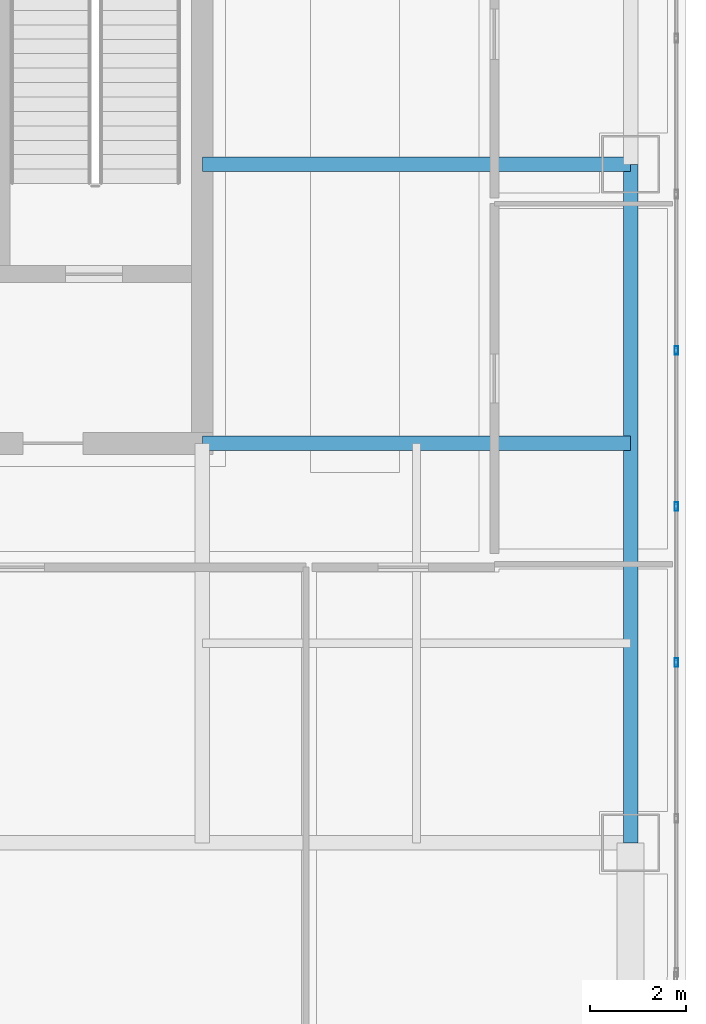
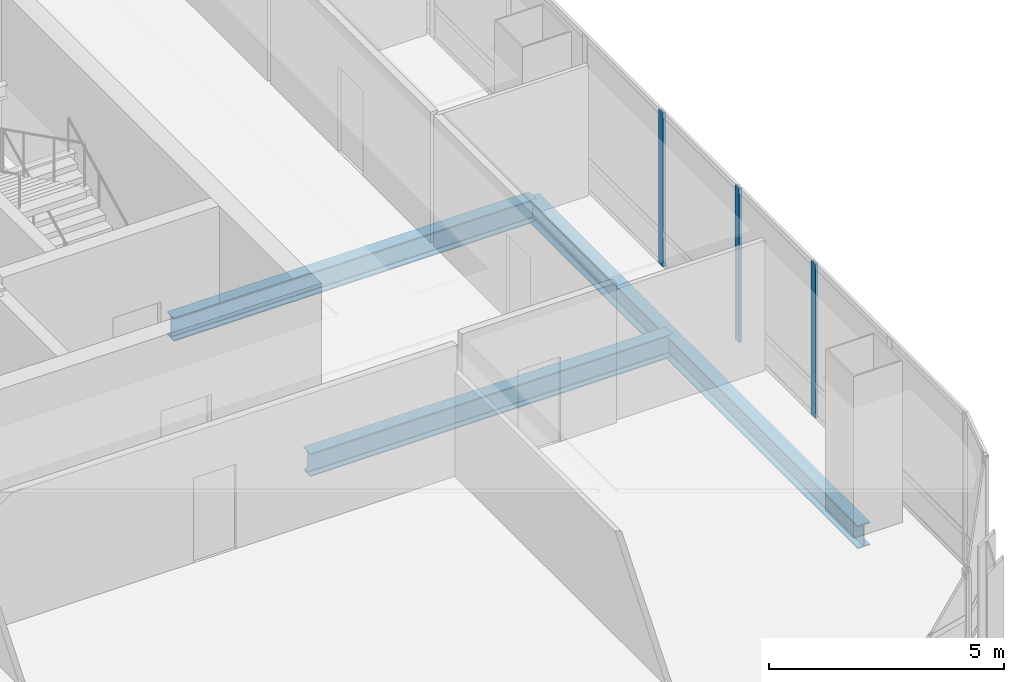
# One storey, part 19 of 43: 3 beams, 3 members, 1 element without a shape of its own.
"""IFC4 building model written with IfcOpenShell, lengths in metres."""

from ifc_helpers import new_model, si_unit, direction, frame, origin, origin_2d, place, context, subcontext, project, spatial, hollow_rectangle, i_section, extrude, material, material_profile, profile_set, type_object, element, aggregate, save


model = new_model("IFC4")

# Units and contexts
model_context = context("Model", 3, precision=1e-05, world=origin(), true_north=direction((0.0, 1.0)))
body_context = subcontext(model_context, "Body", "Model", "MODEL_VIEW")
ifc_project = project(units=[si_unit("LENGTHUNIT", "METRE"), si_unit("AREAUNIT", "SQUARE_METRE"), si_unit("VOLUMEUNIT", "CUBIC_METRE"), si_unit("PLANEANGLEUNIT", "RADIAN"), si_unit("MASSUNIT", "GRAM", prefix="KILO")], contexts=[model_context])

# Site, building, storey
site_placement = place(None, origin())
site = spatial("IfcSite", under=ifc_project, at=site_placement, CompositionType="ELEMENT")
building_placement = place(site_placement, origin())
building = spatial("IfcBuilding", under=site, at=building_placement, Name="Punatoya Terracotta Tower", CompositionType="ELEMENT")
storey_placement = place(building_placement, frame((0.0, 0.0, 321.60009765625)))
storey = spatial("IfcBuildingStorey", under=building, at=storey_placement, Name="L76", CompositionType="ELEMENT", Elevation=321.60009765625)

# Beams
ifc_material_1 = material(Name="Steel S355", Category="steel")
ifc_material_profile_1 = material_profile(ifc_material_1, i_section(OverallWidth=0.300048828125, OverallDepth=0.60009765625, WebThickness=0.015380859375, FlangeThickness=0.030029296875, FilletRadius=0.01806640625, at=origin_2d()))
ifc_profile_set_1 = profile_set([ifc_material_profile_1], Name="Steel S355")
beam_type = type_object("IfcBeamType", Name="BM-PRI-600", PredefinedType="BEAM", material=ifc_profile_set_1)
beam_placement = place(storey_placement, frame((19.10009765625, -17.5, -0.5), z_axis=(0.0, 1.0, 0.0), x_axis=(-1.0, 0.0, 0.0)))
element("IfcBeam", 1, at=beam_placement, inside=storey, type_object=beam_type, Name="BM-L76-RG-E1", PredefinedType="BEAM", context=body_context, shape_type="SweptSolid", body=[
    extrude(i_section(OverallWidth=0.300048828125, OverallDepth=0.60009765625, WebThickness=0.015380859375, FlangeThickness=0.030029296875, FilletRadius=0.01806640625, at=origin_2d()), origin(), (0.0, 0.0, 1.0), 14.10009765625),
])
for number, where, z_axis, x_axis, name in (
    (2, (10.199951171875, -9.199951171875, -0.5), (1.0, 0.0, 0.0), (0.0, 1.0, 0.0), "BM-L76-PR-ES"),
    (3, (10.199951171875, -3.39990234375, -0.5), (1.0, 0.0, 0.0), (0.0, 1.0, 0.0), "BM-L76-PR-ED"),
):
    element("IfcBeam", number, at=place(storey_placement, frame(where, z_axis=z_axis, x_axis=x_axis)), inside=storey, type_object=beam_type, Name=name, PredefinedType="BEAM", context=body_context, shape_type="SweptSolid", body=[
        extrude(i_section(OverallWidth=0.300048828125, OverallDepth=0.60009765625, WebThickness=0.015380859375, FlangeThickness=0.030029296875, FilletRadius=0.01806640625, at=origin_2d()), origin(), (0.0, 0.0, 1.0), 8.900146484375),
    ])

# Curtain wall, members
ifc_material_2 = material(Name="Aluminium 6063-T6 + Double Low-E Glass", Category="aluminium")
curtain_wall_type = type_object("IfcCurtainWallType", Name="CW-OBS", PredefinedType="NOTDEFINED", material=ifc_material_2)
curtain_wall_placement = place(storey_placement, origin())
curtain_wall = element("IfcCurtainWall", 4, at=curtain_wall_placement, inside=storey, type_object=curtain_wall_type, Name="L76 Curtain Wall CW-L76-E05-1", PredefinedType="NOTDEFINED")
ifc_material_3 = material(Name="Aluminium 6063-T6", Category="aluminium")
ifc_material_profile_2 = material_profile(ifc_material_3, hollow_rectangle(XDim=0.070068359375, YDim=0.179931640625, WallThickness=0.00390625, at=origin_2d()))
ifc_profile_set_2 = profile_set([ifc_material_profile_2], Name="Aluminium 6063-T6")
member_type = type_object("IfcMemberType", Name="CW-MUL-M3", PredefinedType="MULLION", material=ifc_profile_set_2)
member_1_placement = place(storey_placement, frame((20.050048828125, -13.750732421875, 0.0), z_axis=(0.0, 0.0, 1.0), x_axis=(1.0, 0.0, 0.0)))
member_1 = element("IfcMember", 5, at=member_1_placement, type_object=member_type, Name="CW-L76-E05-1 Mullion 02", PredefinedType="MULLION", context=body_context, shape_type="SweptSolid", body=[
    extrude(hollow_rectangle(XDim=0.070068359375, YDim=0.179931640625, WallThickness=0.00390625, at=origin_2d()), origin(), (0.0, 0.0, 1.0), 4.0),
])
member_2_placement = place(storey_placement, frame((20.050048828125, -10.5078125, 0.0), z_axis=(0.0, 0.0, 1.0), x_axis=(1.0, 0.0, 0.0)))
member_2 = element("IfcMember", 6, at=member_2_placement, type_object=member_type, Name="CW-L76-E05-1 Mullion 03", PredefinedType="MULLION", context=body_context, shape_type="SweptSolid", body=[
    extrude(hollow_rectangle(XDim=0.070068359375, YDim=0.179931640625, WallThickness=0.00390625, at=origin_2d()), origin(), (0.0, 0.0, 1.0), 4.0),
])
member_3_placement = place(storey_placement, frame((20.050048828125, -7.2646484375, 0.0), z_axis=(0.0, 0.0, 1.0), x_axis=(1.0, 0.0, 0.0)))
member_3 = element("IfcMember", 7, at=member_3_placement, type_object=member_type, Name="CW-L76-E05-1 Mullion 04", PredefinedType="MULLION", context=body_context, shape_type="SweptSolid", body=[
    extrude(hollow_rectangle(XDim=0.070068359375, YDim=0.179931640625, WallThickness=0.00390625, at=origin_2d()), origin(), (0.0, 0.0, 1.0), 4.0),
])
aggregate(curtain_wall, [member_1, member_2, member_3])

save(model, "model.ifc")
